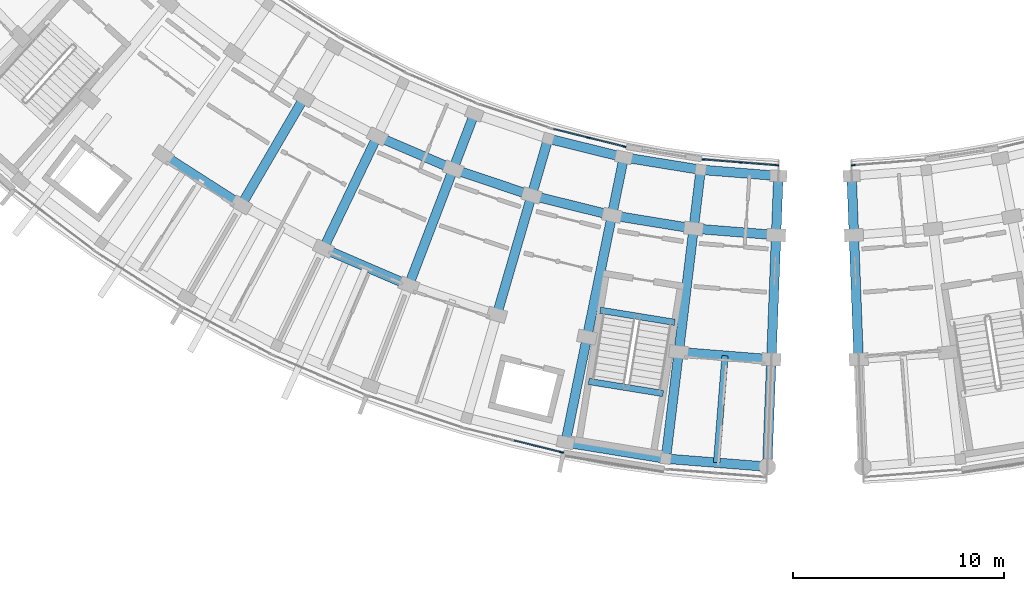
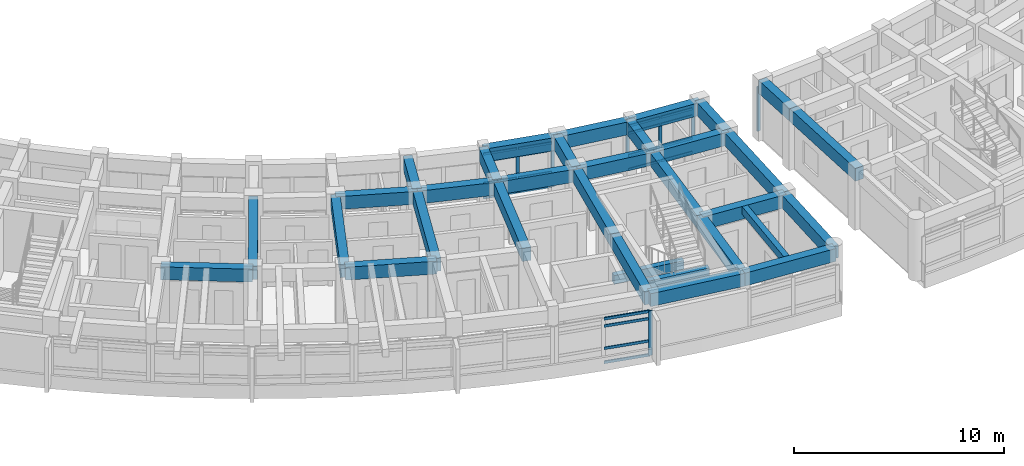
# One storey, part 21 of 83: 33 beams, 27 members, 4 elements without a shape of their own.
"""IFC4 building model written with IfcOpenShell, lengths in metres."""

from ifc_helpers import new_model, si_unit, direction, frame, origin, origin_2d, place, context, subcontext, project, spatial, rectangle, extrude, material, material_profile, profile_set, type_object, element, aggregate, save


model = new_model("IFC4")

# Units and contexts
model_context = context("Model", 3, precision=1e-05, world=origin(), true_north=direction((0.0, 1.0)))
body_context = subcontext(model_context, "Body", "Model", "MODEL_VIEW")
ifc_project = project(units=[si_unit("LENGTHUNIT", "METRE"), si_unit("AREAUNIT", "SQUARE_METRE"), si_unit("VOLUMEUNIT", "CUBIC_METRE"), si_unit("PLANEANGLEUNIT", "RADIAN"), si_unit("MASSUNIT", "GRAM", prefix="KILO")], contexts=[model_context])

# Site, building, storey
site_placement = place(None, origin())
site = spatial("IfcSite", under=ifc_project, at=site_placement, CompositionType="ELEMENT")
building_placement = place(site_placement, origin())
building = spatial("IfcBuilding", under=site, at=building_placement, Name="Zimvara Arc Housing Community", CompositionType="ELEMENT")
storey_placement = place(building_placement, frame((0.0, 0.0, 4.5)))
storey = spatial("IfcBuildingStorey", under=building, at=storey_placement, Name="L01", CompositionType="ELEMENT", Elevation=4.5)

# Beams
ifc_material_1 = material(Name="Concrete C40/50", Category="concrete")
ifc_material_profile_1 = material_profile(ifc_material_1, rectangle(XDim=0.300048828125, YDim=0.449951171875, at=origin_2d()), Name="RC 300x450")
ifc_profile_set_1 = profile_set([ifc_material_profile_1], Name="Concrete C40/50")
beam_type_1 = type_object("IfcBeamType", Name="BM-RC-300x450", PredefinedType="JOIST", material=ifc_profile_set_1)
beam_1_placement = place(storey_placement, frame((121.72509765625, 56.2734375, 3.135009765625), z_axis=(-0.079171686291, -0.99686099537, 0.0), x_axis=(0.99686099537, -0.079171686291, 0.0)))
element("IfcBeam", 1, at=beam_1_placement, inside=storey, type_object=beam_type_1, Name="bm:blkC:L01:joist:b9", PredefinedType="JOIST", context=body_context, shape_type="SweptSolid", body=[
    extrude(rectangle(XDim=0.300048828125, YDim=0.449951171875, at=origin_2d()), origin(), (0.0, 0.0, 1.0), 5.07568359375),
])
ifc_material_2 = material(Name="Concrete C40/50", Category="concrete")
ifc_material_profile_2 = material_profile(ifc_material_2, rectangle(XDim=0.300048828125, YDim=0.5, at=origin_2d()), Name="RC 300x500")
ifc_profile_set_2 = profile_set([ifc_material_profile_2], Name="Concrete C40/50")
beam_type_2 = type_object("IfcBeamType", Name="BM-RC-300x500", PredefinedType="BEAM", material=ifc_profile_set_2)
for number, where, z_axis, x_axis, name in (
    (2, (115.822265625, 58.423095703125, -0.25), (0.987080057935, -0.160227835371, 0.0), (0.160227835371, 0.987080057935, 0.0), "bm:stair_trim:ST-C2:L01:near"),
    (3, (115.27587890625, 55.05712890625, 1.550048828125), (0.987080057935, -0.160227835371, 0.0), (0.160227835371, 0.987080057935, 0.0), "bm:stair_trim:ST-C2:L01:mid"),
):
    element("IfcBeam", number, at=place(storey_placement, frame(where, z_axis=z_axis, x_axis=x_axis)), inside=storey, type_object=beam_type_2, Name=name, PredefinedType="BEAM", context=body_context, shape_type="SweptSolid", body=[
        extrude(rectangle(XDim=0.300048828125, YDim=0.5, at=origin_2d()), origin(), (0.0, 0.0, 1.0), 3.570068359375),
    ])
ifc_material_3 = material(Name="Concrete C40/50", Category="concrete")
ifc_material_profile_3 = material_profile(ifc_material_3, rectangle(XDim=0.449951171875, YDim=0.75, at=origin_2d()), Name="RC 450x750")
ifc_profile_set_3 = profile_set([ifc_material_profile_3], Name="Concrete C40/50")
beam_type_3 = type_object("IfcBeamType", Name="BM-RC-450x750", PredefinedType="BEAM", material=ifc_profile_set_3)
beam_2_placement = place(storey_placement, frame((113.361572265625, 66.540283203125, 2.985107421875), z_axis=(0.970724337693, -0.240196295163, 0.0), x_axis=(0.240196295163, 0.970724337693, 0.0)))
element("IfcBeam", 4, at=beam_2_placement, inside=storey, type_object=beam_type_3, Name="bm:blkC:L01:chord:r0:b7", PredefinedType="BEAM", context=body_context, shape_type="SweptSolid", body=[
    extrude(rectangle(XDim=0.449951171875, YDim=0.75, at=origin_2d()), origin(), (0.0, 0.0, 1.0), 3.6845703125),
])
beam_3_placement = place(storey_placement, frame((116.938232421875, 65.6552734375, 2.985107421875), z_axis=(0.987079996944, -0.160228211104, 0.0), x_axis=(0.160228211104, 0.987079996944, 0.0)))
element("IfcBeam", 5, at=beam_3_placement, inside=storey, type_object=beam_type_3, Name="bm:blkC:L01:chord:r0:b8", PredefinedType="BEAM", context=body_context, shape_type="SweptSolid", body=[
    extrude(rectangle(XDim=0.449951171875, YDim=0.75, at=origin_2d()), origin(), (0.0, 0.0, 1.0), 3.684326171875),
])
beam_4_placement = place(storey_placement, frame((120.574951171875, 65.06494140625, 2.985107421875), z_axis=(0.996860413745, -0.079179009267, 0.0), x_axis=(0.079179009267, 0.996860413745, 0.0)))
element("IfcBeam", 6, at=beam_4_placement, inside=storey, type_object=beam_type_3, Name="bm:blkC:L01:chord:r0:b9", PredefinedType="BEAM", context=body_context, shape_type="SweptSolid", body=[
    extrude(rectangle(XDim=0.449951171875, YDim=0.75, at=origin_2d()), origin(), (0.0, 0.0, 1.0), 3.6845703125),
])
for number, where, z_axis, x_axis, name in (
    (7, (105.2744140625, 66.644287109375, 2.985107421875), (0.918708805961, -0.394935602155, 0.0), (0.394935602155, 0.918708805961, 0.0), "bm:blkC:L01:chord:r1:b5"),
    (8, (108.869384765625, 65.098876953125, 2.985107421875), (0.947881689069, -0.31862250945, 0.0), (0.31862250945, 0.947881689069, 0.0), "bm:blkC:L01:chord:r1:b6"),
    (9, (112.57861328125, 63.85205078125, 2.985107421875), (0.970723220586, -0.240200809773, 0.0), (0.240200809773, 0.970723220586, 0.0), "bm:blkC:L01:chord:r1:b7"),
    (10, (116.377197265625, 62.912109375, 2.985107421875), (0.987081487371, -0.160219029111, 0.0), (0.160219029111, 0.987081487371, 0.0), "bm:blkC:L01:chord:r1:b8"),
):
    element("IfcBeam", number, at=place(storey_placement, frame(where, z_axis=z_axis, x_axis=x_axis)), inside=storey, type_object=beam_type_3, Name=name, PredefinedType="BEAM", context=body_context, shape_type="SweptSolid", body=[
        extrude(rectangle(XDim=0.449951171875, YDim=0.75, at=origin_2d()), origin(), (0.0, 0.0, 1.0), 3.9130859375),
    ])
beam_5_placement = place(storey_placement, frame((120.23974609375, 62.28515625, 2.985107421875), z_axis=(0.99686054795, -0.079177319606, 0.0), x_axis=(0.079177319606, 0.99686054795, 0.0)))
element("IfcBeam", 11, at=beam_5_placement, inside=storey, type_object=beam_type_3, Name="bm:blkC:L01:chord:r1:b9", PredefinedType="BEAM", context=body_context, shape_type="SweptSolid", body=[
    extrude(rectangle(XDim=0.449951171875, YDim=0.75, at=origin_2d()), origin(), (0.0, 0.0, 1.0), 3.912841796875),
])
beam_6_placement = place(storey_placement, frame((95.15234375, 65.76806640625, 2.985107421875), z_axis=(0.842267363538, -0.539060004376, 0.0), x_axis=(0.539060004376, 0.842267363538, 0.0)))
element("IfcBeam", 12, at=beam_6_placement, inside=storey, type_object=beam_type_3, Name="bm:blkC:L01:chord:r2:b3", PredefinedType="BEAM", context=body_context, shape_type="SweptSolid", body=[
    extrude(rectangle(XDim=0.449951171875, YDim=0.75, at=origin_2d()), origin(), (0.0, 0.0, 1.0), 4.39306640625),
])
for number, where, z_axis, x_axis, name in (
    (13, (102.73388671875, 61.34130859375, 2.985107421875), (0.918724840088, -0.394898301093, 0.0), (0.394898301093, 0.918724840088, 0.0), "bm:blkC:L01:chord:r2:b5"),
    (14, (119.535400390625, 56.447509765625, 2.985107421875), (0.996859476344, -0.079190810224, 0.0), (0.079190810224, 0.996859476344, 0.0), "bm:blkC:L01:chord:r2:b9"),
):
    element("IfcBeam", number, at=place(storey_placement, frame(where, z_axis=z_axis, x_axis=x_axis)), inside=storey, type_object=beam_type_3, Name=name, PredefinedType="BEAM", context=body_context, shape_type="SweptSolid", body=[
        extrude(rectangle(XDim=0.449951171875, YDim=0.75, at=origin_2d()), origin(), (0.0, 0.0, 1.0), 4.393310546875),
    ])
beam_7_placement = place(storey_placement, frame((114.180908203125, 52.17431640625, 2.985107421875), z_axis=(0.987083566885, -0.160206217065, 0.0), x_axis=(0.160206217065, 0.987083566885, 0.0)))
element("IfcBeam", 15, at=beam_7_placement, inside=storey, type_object=beam_type_3, Name="bm:blkC:L01:chord:r3:b8", PredefinedType="BEAM", context=body_context, shape_type="SweptSolid", body=[
    extrude(rectangle(XDim=0.449951171875, YDim=0.75, at=origin_2d()), origin(), (0.0, 0.0, 1.0), 4.807861328125),
])
beam_8_placement = place(storey_placement, frame((118.9267578125, 51.404052734375, 2.985107421875), z_axis=(0.996861768207, -0.0791619548, 0.0), x_axis=(0.0791619548, 0.996861768207, 0.0)))
element("IfcBeam", 16, at=beam_8_placement, inside=storey, type_object=beam_type_3, Name="bm:blkC:L01:chord:r3:b9", PredefinedType="BEAM", context=body_context, shape_type="SweptSolid", body=[
    extrude(rectangle(XDim=0.449951171875, YDim=0.75, at=origin_2d()), origin(), (0.0, 0.0, 1.0), 4.80810546875),
])
beam_9_placement = place(storey_placement, frame((101.8173828125, 68.4775390625, 2.985107421875), z_axis=(-0.504237574462, -0.863564976421, 0.0), x_axis=(0.863564976421, -0.504237574462, 0.0)))
element("IfcBeam", 17, at=beam_9_placement, inside=storey, type_object=beam_type_3, Name="bm:blkC:L01:rad:b4:r12", PredefinedType="BEAM", context=body_context, shape_type="SweptSolid", body=[
    extrude(rectangle(XDim=0.449951171875, YDim=0.75, at=origin_2d()), origin(), (0.0, 0.0, 1.0), 5.8798828125),
])
beam_10_placement = place(storey_placement, frame((105.2744140625, 66.644287109375, 2.985107421875), z_axis=(-0.432053349188, -0.901848048983, 0.0), x_axis=(0.901848048983, -0.432053349188, 0.0)))
element("IfcBeam", 18, at=beam_10_placement, inside=storey, type_object=beam_type_3, Name="bm:blkC:L01:rad:b5:r12", PredefinedType="BEAM", context=body_context, shape_type="SweptSolid", body=[
    extrude(rectangle(XDim=0.449951171875, YDim=0.75, at=origin_2d()), origin(), (0.0, 0.0, 1.0), 5.880126953125),
])
beam_11_placement = place(storey_placement, frame((109.869384765625, 67.71435546875, 2.985107421875), z_axis=(-0.357126279724, -0.934056111982, 0.0), x_axis=(0.934056111982, -0.357126279724, 0.0)))
element("IfcBeam", 19, at=beam_11_placement, inside=storey, type_object=beam_type_3, Name="bm:blkC:L01:rad:b6:r01", PredefinedType="BEAM", context=body_context, shape_type="SweptSolid", body=[
    extrude(rectangle(XDim=0.449951171875, YDim=0.75, at=origin_2d()), origin(), (0.0, 0.0, 1.0), 2.800048828125),
])
beam_12_placement = place(storey_placement, frame((108.869384765625, 65.098876953125, 2.985107421875), z_axis=(-0.357036247742, -0.934090529766, 0.0), x_axis=(0.934090529766, -0.357036247742, 0.0)))
element("IfcBeam", 20, at=beam_12_placement, inside=storey, type_object=beam_type_3, Name="bm:blkC:L01:rad:b6:r12", PredefinedType="BEAM", context=body_context, shape_type="SweptSolid", body=[
    extrude(rectangle(XDim=0.449951171875, YDim=0.75, at=origin_2d()), origin(), (0.0, 0.0, 1.0), 5.8798828125),
])
beam_13_placement = place(storey_placement, frame((113.361572265625, 66.540283203125, 2.985107421875), z_axis=(-0.279635015525, -0.960106378529, 0.0), x_axis=(0.960106378529, -0.279635015525, 0.0)))
element("IfcBeam", 21, at=beam_13_placement, inside=storey, type_object=beam_type_3, Name="bm:blkC:L01:rad:b7:r01", PredefinedType="BEAM", context=body_context, shape_type="SweptSolid", body=[
    extrude(rectangle(XDim=0.449951171875, YDim=0.75, at=origin_2d()), origin(), (0.0, 0.0, 1.0), 2.800048828125),
])
beam_14_placement = place(storey_placement, frame((112.57861328125, 63.85205078125, 2.985107421875), z_axis=(-0.27964761269, -0.960102709462, 0.0), x_axis=(0.960102709462, -0.27964761269, 0.0)))
element("IfcBeam", 22, at=beam_14_placement, inside=storey, type_object=beam_type_3, Name="bm:blkC:L01:rad:b7:r12", PredefinedType="BEAM", context=body_context, shape_type="SweptSolid", body=[
    extrude(rectangle(XDim=0.449951171875, YDim=0.75, at=origin_2d()), origin(), (0.0, 0.0, 1.0), 5.8798828125),
])
beam_15_placement = place(storey_placement, frame((116.938232421875, 65.6552734375, 2.985107421875), z_axis=(-0.20037341071, -0.979719600845, 0.0), x_axis=(0.979719600845, -0.20037341071, 0.0)))
element("IfcBeam", 23, at=beam_15_placement, inside=storey, type_object=beam_type_3, Name="bm:blkC:L01:rad:b8:r01", PredefinedType="BEAM", context=body_context, shape_type="SweptSolid", body=[
    extrude(rectangle(XDim=0.449951171875, YDim=0.75, at=origin_2d()), origin(), (0.0, 0.0, 1.0), 2.800048828125),
])
beam_16_placement = place(storey_placement, frame((116.377197265625, 62.912109375, 2.985107421875), z_axis=(-0.200417973989, -0.979710485655, 0.0), x_axis=(0.979710485655, -0.200417973989, 0.0)))
element("IfcBeam", 24, at=beam_16_placement, inside=storey, type_object=beam_type_3, Name="bm:blkC:L01:rad:b8:r12", PredefinedType="BEAM", context=body_context, shape_type="SweptSolid", body=[
    extrude(rectangle(XDim=0.449951171875, YDim=0.75, at=origin_2d()), origin(), (0.0, 0.0, 1.0), 5.880126953125),
])
beam_17_placement = place(storey_placement, frame((115.19873046875, 57.1513671875, 2.985107421875), z_axis=(-0.200356397601, -0.979723080233, 0.0), x_axis=(0.979723080233, -0.200356397601, 0.0)))
element("IfcBeam", 25, at=beam_17_placement, inside=storey, type_object=beam_type_3, Name="bm:blkC:L01:rad:b8:r23", PredefinedType="BEAM", context=body_context, shape_type="SweptSolid", body=[
    extrude(rectangle(XDim=0.449951171875, YDim=0.75, at=origin_2d()), origin(), (0.0, 0.0, 1.0), 5.080078125),
])
beam_18_placement = place(storey_placement, frame((120.574951171875, 65.06494140625, 2.985107421875), z_axis=(-0.119719398078, -0.992807768767, 0.0), x_axis=(0.992807768767, -0.119719398078, 0.0)))
element("IfcBeam", 26, at=beam_18_placement, inside=storey, type_object=beam_type_3, Name="bm:blkC:L01:rad:b9:r01", PredefinedType="BEAM", context=body_context, shape_type="SweptSolid", body=[
    extrude(rectangle(XDim=0.449951171875, YDim=0.75, at=origin_2d()), origin(), (0.0, 0.0, 1.0), 2.7998046875),
])
beam_19_placement = place(storey_placement, frame((120.23974609375, 62.28515625, 2.985107421875), z_axis=(-0.119786997154, -0.992799614884, 0.0), x_axis=(0.992799614884, -0.119786997154, 0.0)))
element("IfcBeam", 27, at=beam_19_placement, inside=storey, type_object=beam_type_3, Name="bm:blkC:L01:rad:b9:r12", PredefinedType="BEAM", context=body_context, shape_type="SweptSolid", body=[
    extrude(rectangle(XDim=0.449951171875, YDim=0.75, at=origin_2d()), origin(), (0.0, 0.0, 1.0), 5.8798828125),
])
beam_20_placement = place(storey_placement, frame((119.535400390625, 56.447509765625, 2.985107421875), z_axis=(-0.119810359757, -0.992796795772, 0.0), x_axis=(0.992796795772, -0.119810359757, 0.0)))
element("IfcBeam", 28, at=beam_20_placement, inside=storey, type_object=beam_type_3, Name="bm:blkC:L01:rad:b9:r23", PredefinedType="BEAM", context=body_context, shape_type="SweptSolid", body=[
    extrude(rectangle(XDim=0.449951171875, YDim=0.75, at=origin_2d()), origin(), (0.0, 0.0, 1.0), 5.080078125),
])
beam_21_placement = place(storey_placement, frame((124.248046875, 64.773193359375, 2.985107421875), z_axis=(-0.038453214409, -0.999260401648, 0.0), x_axis=(0.999260401648, -0.038453214409, 0.0)))
element("IfcBeam", 29, at=beam_21_placement, inside=storey, type_object=beam_type_3, Name="bm:blkC:L01:rad:b10:r01", PredefinedType="BEAM", context=body_context, shape_type="SweptSolid", body=[
    extrude(rectangle(XDim=0.449951171875, YDim=0.75, at=origin_2d()), origin(), (0.0, 0.0, 1.0), 2.7998046875),
])
beam_22_placement = place(storey_placement, frame((124.140380859375, 61.975341796875, 2.985107421875), z_axis=(-0.038364555613, -0.999263809448, 0.0), x_axis=(0.999263809448, -0.038364555613, 0.0)))
element("IfcBeam", 30, at=beam_22_placement, inside=storey, type_object=beam_type_3, Name="bm:blkC:L01:rad:b10:r12", PredefinedType="BEAM", context=body_context, shape_type="SweptSolid", body=[
    extrude(rectangle(XDim=0.449951171875, YDim=0.75, at=origin_2d()), origin(), (0.0, 0.0, 1.0), 5.880126953125),
])
beam_23_placement = place(storey_placement, frame((123.914794921875, 56.099609375, 2.985107421875), z_axis=(-0.038399898954, -0.999262451892, 0.0), x_axis=(0.999262451892, -0.038399898954, 0.0)))
element("IfcBeam", 31, at=beam_23_placement, inside=storey, type_object=beam_type_3, Name="bm:blkC:L01:rad:b10:r23", PredefinedType="BEAM", context=body_context, shape_type="SweptSolid", body=[
    extrude(rectangle(XDim=0.449951171875, YDim=0.75, at=origin_2d()), origin(), (0.0, 0.0, 1.0), 5.079833984375),
])
beam_24_placement = place(storey_placement, frame((127.712158203125, 64.773193359375, 2.985107421875), z_axis=(0.038366147405, -0.999263748333, 0.0), x_axis=(0.999263748333, 0.038366147405, 0.0)))
element("IfcBeam", 32, at=beam_24_placement, inside=storey, type_object=beam_type_3, Name="bm:blkD:L01:rad:b0:r01", PredefinedType="BEAM", context=body_context, shape_type="SweptSolid", body=[
    extrude(rectangle(XDim=0.449951171875, YDim=0.75, at=origin_2d()), origin(), (0.0, 0.0, 1.0), 2.7998046875),
])
beam_25_placement = place(storey_placement, frame((127.819580078125, 61.975341796875, 2.985107421875), z_axis=(0.038364555613, -0.999263809448, 0.0), x_axis=(0.999263809448, 0.038364555613, 0.0)))
element("IfcBeam", 33, at=beam_25_placement, inside=storey, type_object=beam_type_3, Name="bm:blkD:L01:rad:b0:r12", PredefinedType="BEAM", context=body_context, shape_type="SweptSolid", body=[
    extrude(rectangle(XDim=0.449951171875, YDim=0.75, at=origin_2d()), origin(), (0.0, 0.0, 1.0), 5.880126953125),
])

# Curtain wall, members
ifc_material_4 = material(Name="Anodised Aluminium AW-6063", Category="aluminium")
curtain_wall_type_1 = type_object("IfcCurtainWallType", Name="CW-SYS-02", PredefinedType="USERDEFINED", material=ifc_material_4)
curtain_wall_1_placement = place(storey_placement, origin())
curtain_wall_1 = element("IfcCurtainWall", 34, at=curtain_wall_1_placement, inside=storey, type_object=curtain_wall_type_1, Name="cw:blkC:L01:in:b7", ObjectType="CURTAIN WALL", PredefinedType="USERDEFINED")
ifc_material_5 = material(Name="Anodised Aluminium AW-6063", Category="aluminium")
ifc_material_profile_4 = material_profile(ifc_material_5, rectangle(XDim=0.06494140625, YDim=0.179931640625, at=origin_2d()), Name="ALU 65x180")
ifc_profile_set_4 = profile_set([ifc_material_profile_4], Name="Anodised Aluminium AW-6063")
member_type_1 = type_object("IfcMemberType", Name="CWM-65x150", PredefinedType="MULLION", material=ifc_profile_set_4)
member_1_placement = place(storey_placement, frame((115.27001953125, 66.582763671875, 0.0), z_axis=(0.0, 0.0, 1.0), x_axis=(0.240227815706, 0.970716537698, 0.0)))
member_1 = element("IfcMember", 35, at=member_1_placement, type_object=member_type_1, Name="CW02 mullion 2", PredefinedType="MULLION", context=body_context, shape_type="SweptSolid", body=[
    extrude(rectangle(XDim=0.06494140625, YDim=0.179931640625, at=origin_2d()), origin(), (0.0, 0.0, 1.0), 2.60009765625),
])
member_2_placement = place(storey_placement, frame((116.94873046875, 66.167236328125, 0.0), z_axis=(0.0, 0.0, 1.0), x_axis=(0.240227815706, 0.970716537698, 0.0)))
member_2 = element("IfcMember", 36, at=member_2_placement, type_object=member_type_1, Name="CW02 mullion 3", PredefinedType="MULLION", context=body_context, shape_type="SweptSolid", body=[
    extrude(rectangle(XDim=0.06494140625, YDim=0.179931640625, at=origin_2d()), origin(), (0.0, 0.0, 1.0), 2.60009765625),
])

ifc_material_6 = material(Name="Anodised Aluminium AW-6063", Category="aluminium")
curtain_wall_type_2 = type_object("IfcCurtainWallType", Name="CW-SYS-04", PredefinedType="USERDEFINED", material=ifc_material_6)
curtain_wall_2_placement = place(storey_placement, origin())
curtain_wall_2 = element("IfcCurtainWall", 37, at=curtain_wall_2_placement, inside=storey, type_object=curtain_wall_type_2, Name="cw:blkC:L01:in:b9", ObjectType="CURTAIN WALL", PredefinedType="USERDEFINED")
member_3_placement = place(storey_placement, frame((120.72705078125, 65.553955078125, 0.0), z_axis=(0.0, 0.0, 1.0), x_axis=(0.079154709897, 0.996862343506, 0.0)))
member_3 = element("IfcMember", 38, at=member_3_placement, type_object=member_type_1, Name="CW04 mullion 1", PredefinedType="MULLION", context=body_context, shape_type="SweptSolid", body=[
    extrude(rectangle(XDim=0.06494140625, YDim=0.179931640625, at=origin_2d()), origin(), (0.0, 0.0, 1.0), 2.60009765625),
])
member_4_placement = place(storey_placement, frame((122.450927734375, 65.4169921875, 0.0), z_axis=(0.0, 0.0, 1.0), x_axis=(0.079154709897, 0.996862343506, 0.0)))
member_4 = element("IfcMember", 39, at=member_4_placement, type_object=member_type_1, Name="CW04 mullion 2", PredefinedType="MULLION", context=body_context, shape_type="SweptSolid", body=[
    extrude(rectangle(XDim=0.06494140625, YDim=0.179931640625, at=origin_2d()), origin(), (0.0, 0.0, 1.0), 2.60009765625),
])
member_5_placement = place(storey_placement, frame((124.1748046875, 65.2802734375, 0.0), z_axis=(0.0, 0.0, 1.0), x_axis=(0.079154709897, 0.996862343506, 0.0)))
member_5 = element("IfcMember", 40, at=member_5_placement, type_object=member_type_1, Name="CW04 mullion 3", PredefinedType="MULLION", context=body_context, shape_type="SweptSolid", body=[
    extrude(rectangle(XDim=0.06494140625, YDim=0.179931640625, at=origin_2d()), origin(), (0.0, 0.0, 1.0), 2.60009765625),
])

# Curtain wall, member
ifc_material_7 = material(Name="Anodised Aluminium AW-6063", Category="aluminium")
curtain_wall_type_3 = type_object("IfcCurtainWallType", Name="CW-SYS-06", PredefinedType="USERDEFINED", material=ifc_material_7)
curtain_wall_3_placement = place(storey_placement, origin())
curtain_wall_3 = element("IfcCurtainWall", 41, at=curtain_wall_3_placement, inside=storey, type_object=curtain_wall_type_3, Name="cw:blkD:L01:in:b0", ObjectType="CURTAIN WALL", PredefinedType="USERDEFINED")
member_6_placement = place(storey_placement, frame((127.78515625, 65.280029296875, 0.0), z_axis=(0.0, 0.0, 1.0), x_axis=(-0.077590099579, 0.996985344149, 0.0)))
member_6 = element("IfcMember", 42, at=member_6_placement, type_object=member_type_1, Name="CW06 mullion 1", PredefinedType="MULLION", context=body_context, shape_type="SweptSolid", body=[
    extrude(rectangle(XDim=0.06494140625, YDim=0.179931640625, at=origin_2d()), origin(), (0.0, 0.0, 1.0), 2.60009765625),
])
aggregate(curtain_wall_3, [member_6])

ifc_material_8 = material(Name="Anodised Aluminium AW-6063", Category="aluminium")
curtain_wall_type_4 = type_object("IfcCurtainWallType", Name="CW-SYS-01", PredefinedType="USERDEFINED", material=ifc_material_8)
curtain_wall_4_placement = place(storey_placement, origin())
curtain_wall_4 = element("IfcCurtainWall", 43, at=curtain_wall_4_placement, inside=storey, type_object=curtain_wall_type_4, Name="cw:blkC:L01:out:b7", ObjectType="CURTAIN WALL", PredefinedType="USERDEFINED")
ifc_material_9 = material(Name="Anodised Aluminium AW-6063", Category="aluminium")
ifc_material_profile_5 = material_profile(ifc_material_9, rectangle(XDim=0.06494140625, YDim=0.195068359375, at=origin_2d()), Name="ALU 65x195")
ifc_profile_set_5 = profile_set([ifc_material_profile_5], Name="Anodised Aluminium AW-6063")
member_type_2 = type_object("IfcMemberType", Name="CWM-65x180", PredefinedType="MULLION", material=ifc_profile_set_5)
member_7_placement = place(storey_placement, frame((113.99072265625, 51.706787109375, 0.0), z_axis=(0.0, 0.0, 1.0), x_axis=(0.240229711131, 0.970716068627, 0.0)))
member_7 = element("IfcMember", 44, at=member_7_placement, type_object=member_type_2, Name="CW01 mullion 3", PredefinedType="MULLION", context=body_context, shape_type="SweptSolid", body=[
    extrude(rectangle(XDim=0.06494140625, YDim=0.195068359375, at=origin_2d()), origin(), (0.0, 0.0, 1.0), 2.60009765625),
])

# Member
ifc_material_10 = material(Name="Anodised Aluminium AW-6063", Category="aluminium")
ifc_material_profile_6 = material_profile(ifc_material_10, rectangle(XDim=0.06494140625, YDim=0.139892578125, at=origin_2d()), Name="ALU 65x140")
ifc_profile_set_6 = profile_set([ifc_material_profile_6], Name="Anodised Aluminium AW-6063")
member_type_3 = type_object("IfcMemberType", Name="CWT-65x120", PredefinedType="USERDEFINED", material=ifc_profile_set_6)
member_8_placement = place(storey_placement, frame((113.622802734375, 66.990478515625, 0.032470703125), z_axis=(0.970709278499, -0.2402571469, 0.0), x_axis=(0.2402571469, 0.970709278499, 0.0)))
member_8 = element("IfcMember", 45, at=member_8_placement, type_object=member_type_3, Name="CW02 transom 1.1", ObjectType="TRANSOM", PredefinedType="USERDEFINED", context=body_context, shape_type="SweptSolid", body=[
    extrude(rectangle(XDim=0.06494140625, YDim=0.139892578125, at=origin_2d()), origin(), (0.0, 0.0, 1.0), 1.66455078125),
])

member_9_placement = place(storey_placement, frame((113.622802734375, 66.990478515625, 0.85009765625), z_axis=(0.970709278499, -0.2402571469, 0.0), x_axis=(0.2402571469, 0.970709278499, 0.0)))
member_9 = element("IfcMember", 46, at=member_9_placement, type_object=member_type_3, Name="CW02 transom 1.2", ObjectType="TRANSOM", PredefinedType="USERDEFINED", context=body_context, shape_type="SweptSolid", body=[
    extrude(rectangle(XDim=0.06494140625, YDim=0.139892578125, at=origin_2d()), origin(), (0.0, 0.0, 1.0), 1.66455078125),
])

member_10_placement = place(storey_placement, frame((113.622802734375, 66.990478515625, 2.14990234375), z_axis=(0.970709278499, -0.2402571469, 0.0), x_axis=(0.2402571469, 0.970709278499, 0.0)))
member_10 = element("IfcMember", 47, at=member_10_placement, type_object=member_type_3, Name="CW02 transom 1.3", ObjectType="TRANSOM", PredefinedType="USERDEFINED", context=body_context, shape_type="SweptSolid", body=[
    extrude(rectangle(XDim=0.06494140625, YDim=0.139892578125, at=origin_2d()), origin(), (0.0, 0.0, 1.0), 1.66455078125),
])

member_11_placement = place(storey_placement, frame((113.622802734375, 66.990478515625, 2.5673828125), z_axis=(0.970709278499, -0.2402571469, 0.0), x_axis=(0.2402571469, 0.970709278499, 0.0)))
member_11 = element("IfcMember", 48, at=member_11_placement, type_object=member_type_3, Name="CW02 transom 1.4", ObjectType="TRANSOM", PredefinedType="USERDEFINED", context=body_context, shape_type="SweptSolid", body=[
    extrude(rectangle(XDim=0.06494140625, YDim=0.139892578125, at=origin_2d()), origin(), (0.0, 0.0, 1.0), 1.66455078125),
])

member_12_placement = place(storey_placement, frame((115.301513671875, 66.574951171875, 0.032470703125), z_axis=(0.970700809973, -0.24029135964, 0.0), x_axis=(0.24029135964, 0.970700809973, 0.0)))
member_12 = element("IfcMember", 49, at=member_12_placement, type_object=member_type_3, Name="CW02 transom 2.1", ObjectType="TRANSOM", PredefinedType="USERDEFINED", context=body_context, shape_type="SweptSolid", body=[
    extrude(rectangle(XDim=0.06494140625, YDim=0.139892578125, at=origin_2d()), origin(), (0.0, 0.0, 1.0), 1.664306640625),
])

member_13_placement = place(storey_placement, frame((115.301513671875, 66.574951171875, 0.85009765625), z_axis=(0.970700809973, -0.24029135964, 0.0), x_axis=(0.24029135964, 0.970700809973, 0.0)))
member_13 = element("IfcMember", 50, at=member_13_placement, type_object=member_type_3, Name="CW02 transom 2.2", ObjectType="TRANSOM", PredefinedType="USERDEFINED", context=body_context, shape_type="SweptSolid", body=[
    extrude(rectangle(XDim=0.06494140625, YDim=0.139892578125, at=origin_2d()), origin(), (0.0, 0.0, 1.0), 1.664306640625),
])

member_14_placement = place(storey_placement, frame((115.301513671875, 66.574951171875, 2.14990234375), z_axis=(0.970700809973, -0.24029135964, 0.0), x_axis=(0.24029135964, 0.970700809973, 0.0)))
member_14 = element("IfcMember", 51, at=member_14_placement, type_object=member_type_3, Name="CW02 transom 2.3", ObjectType="TRANSOM", PredefinedType="USERDEFINED", context=body_context, shape_type="SweptSolid", body=[
    extrude(rectangle(XDim=0.06494140625, YDim=0.139892578125, at=origin_2d()), origin(), (0.0, 0.0, 1.0), 1.664306640625),
])

member_15_placement = place(storey_placement, frame((115.301513671875, 66.574951171875, 2.5673828125), z_axis=(0.970700809973, -0.24029135964, 0.0), x_axis=(0.24029135964, 0.970700809973, 0.0)))
member_15 = element("IfcMember", 52, at=member_15_placement, type_object=member_type_3, Name="CW02 transom 2.4", ObjectType="TRANSOM", PredefinedType="USERDEFINED", context=body_context, shape_type="SweptSolid", body=[
    extrude(rectangle(XDim=0.06494140625, YDim=0.139892578125, at=origin_2d()), origin(), (0.0, 0.0, 1.0), 1.664306640625),
])

aggregate(curtain_wall_1, [member_1, member_2, member_8, member_9, member_10, member_11, member_12, member_13, member_14, member_15])

member_16_placement = place(storey_placement, frame((120.759521484375, 65.551513671875, 0.032470703125), z_axis=(0.99685804311, -0.079208849806, 0.0), x_axis=(0.079208849806, 0.99685804311, 0.0)))
member_16 = element("IfcMember", 53, at=member_16_placement, type_object=member_type_3, Name="CW04 transom 1.1", ObjectType="TRANSOM", PredefinedType="USERDEFINED", context=body_context, shape_type="SweptSolid", body=[
    extrude(rectangle(XDim=0.06494140625, YDim=0.139892578125, at=origin_2d()), origin(), (0.0, 0.0, 1.0), 1.664306640625),
])

member_17_placement = place(storey_placement, frame((120.759521484375, 65.551513671875, 0.85009765625), z_axis=(0.99685804311, -0.079208849806, 0.0), x_axis=(0.079208849806, 0.99685804311, 0.0)))
member_17 = element("IfcMember", 54, at=member_17_placement, type_object=member_type_3, Name="CW04 transom 1.2", ObjectType="TRANSOM", PredefinedType="USERDEFINED", context=body_context, shape_type="SweptSolid", body=[
    extrude(rectangle(XDim=0.06494140625, YDim=0.139892578125, at=origin_2d()), origin(), (0.0, 0.0, 1.0), 1.664306640625),
])

member_18_placement = place(storey_placement, frame((120.759521484375, 65.551513671875, 2.14990234375), z_axis=(0.99685804311, -0.079208849806, 0.0), x_axis=(0.079208849806, 0.99685804311, 0.0)))
member_18 = element("IfcMember", 55, at=member_18_placement, type_object=member_type_3, Name="CW04 transom 1.3", ObjectType="TRANSOM", PredefinedType="USERDEFINED", context=body_context, shape_type="SweptSolid", body=[
    extrude(rectangle(XDim=0.06494140625, YDim=0.139892578125, at=origin_2d()), origin(), (0.0, 0.0, 1.0), 1.664306640625),
])

member_19_placement = place(storey_placement, frame((120.759521484375, 65.551513671875, 2.5673828125), z_axis=(0.99685804311, -0.079208849806, 0.0), x_axis=(0.079208849806, 0.99685804311, 0.0)))
member_19 = element("IfcMember", 56, at=member_19_placement, type_object=member_type_3, Name="CW04 transom 1.4", ObjectType="TRANSOM", PredefinedType="USERDEFINED", context=body_context, shape_type="SweptSolid", body=[
    extrude(rectangle(XDim=0.06494140625, YDim=0.139892578125, at=origin_2d()), origin(), (0.0, 0.0, 1.0), 1.664306640625),
])

member_20_placement = place(storey_placement, frame((122.4833984375, 65.41455078125, 0.032470703125), z_axis=(0.99685804311, -0.079208849806, 0.0), x_axis=(0.079208849806, 0.99685804311, 0.0)))
member_20 = element("IfcMember", 57, at=member_20_placement, type_object=member_type_3, Name="CW04 transom 2.1", ObjectType="TRANSOM", PredefinedType="USERDEFINED", context=body_context, shape_type="SweptSolid", body=[
    extrude(rectangle(XDim=0.06494140625, YDim=0.139892578125, at=origin_2d()), origin(), (0.0, 0.0, 1.0), 1.664306640625),
])

member_21_placement = place(storey_placement, frame((122.4833984375, 65.41455078125, 0.85009765625), z_axis=(0.99685804311, -0.079208849806, 0.0), x_axis=(0.079208849806, 0.99685804311, 0.0)))
member_21 = element("IfcMember", 58, at=member_21_placement, type_object=member_type_3, Name="CW04 transom 2.2", ObjectType="TRANSOM", PredefinedType="USERDEFINED", context=body_context, shape_type="SweptSolid", body=[
    extrude(rectangle(XDim=0.06494140625, YDim=0.139892578125, at=origin_2d()), origin(), (0.0, 0.0, 1.0), 1.664306640625),
])

member_22_placement = place(storey_placement, frame((122.4833984375, 65.41455078125, 2.14990234375), z_axis=(0.99685804311, -0.079208849806, 0.0), x_axis=(0.079208849806, 0.99685804311, 0.0)))
member_22 = element("IfcMember", 59, at=member_22_placement, type_object=member_type_3, Name="CW04 transom 2.3", ObjectType="TRANSOM", PredefinedType="USERDEFINED", context=body_context, shape_type="SweptSolid", body=[
    extrude(rectangle(XDim=0.06494140625, YDim=0.139892578125, at=origin_2d()), origin(), (0.0, 0.0, 1.0), 1.664306640625),
])

member_23_placement = place(storey_placement, frame((122.4833984375, 65.41455078125, 2.5673828125), z_axis=(0.99685804311, -0.079208849806, 0.0), x_axis=(0.079208849806, 0.99685804311, 0.0)))
member_23 = element("IfcMember", 60, at=member_23_placement, type_object=member_type_3, Name="CW04 transom 2.4", ObjectType="TRANSOM", PredefinedType="USERDEFINED", context=body_context, shape_type="SweptSolid", body=[
    extrude(rectangle(XDim=0.06494140625, YDim=0.139892578125, at=origin_2d()), origin(), (0.0, 0.0, 1.0), 1.664306640625),
])

aggregate(curtain_wall_2, [member_3, member_4, member_5, member_16, member_17, member_18, member_19, member_20, member_21, member_22, member_23])

ifc_material_11 = material(Name="Anodised Aluminium AW-6063", Category="aluminium")
ifc_material_profile_7 = material_profile(ifc_material_11, rectangle(XDim=0.06494140625, YDim=0.155029296875, at=origin_2d()), Name="ALU 65x155")
ifc_profile_set_7 = profile_set([ifc_material_profile_7], Name="Anodised Aluminium AW-6063")
member_type_4 = type_object("IfcMemberType", Name="CWT-65x140", PredefinedType="USERDEFINED", material=ifc_profile_set_7)
member_24_placement = place(storey_placement, frame((111.7587890625, 52.259033203125, 0.032470703125), z_axis=(0.970728837212, -0.240178110172, 0.0), x_axis=(0.240178110172, 0.970728837212, 0.0)))
member_24 = element("IfcMember", 61, at=member_24_placement, type_object=member_type_4, Name="CW01 transom 2.1", ObjectType="TRANSOM", PredefinedType="USERDEFINED", context=body_context, shape_type="SweptSolid", body=[
    extrude(rectangle(XDim=0.06494140625, YDim=0.155029296875, at=origin_2d()), origin(), (0.0, 0.0, 1.0), 2.266845703125),
])

member_25_placement = place(storey_placement, frame((111.7587890625, 52.259033203125, 0.85009765625), z_axis=(0.970728837212, -0.240178110172, 0.0), x_axis=(0.240178110172, 0.970728837212, 0.0)))
member_25 = element("IfcMember", 62, at=member_25_placement, type_object=member_type_4, Name="CW01 transom 2.2", ObjectType="TRANSOM", PredefinedType="USERDEFINED", context=body_context, shape_type="SweptSolid", body=[
    extrude(rectangle(XDim=0.06494140625, YDim=0.155029296875, at=origin_2d()), origin(), (0.0, 0.0, 1.0), 2.266845703125),
])

member_26_placement = place(storey_placement, frame((111.7587890625, 52.259033203125, 2.14990234375), z_axis=(0.970728837212, -0.240178110172, 0.0), x_axis=(0.240178110172, 0.970728837212, 0.0)))
member_26 = element("IfcMember", 63, at=member_26_placement, type_object=member_type_4, Name="CW01 transom 2.3", ObjectType="TRANSOM", PredefinedType="USERDEFINED", context=body_context, shape_type="SweptSolid", body=[
    extrude(rectangle(XDim=0.06494140625, YDim=0.155029296875, at=origin_2d()), origin(), (0.0, 0.0, 1.0), 2.266845703125),
])

member_27_placement = place(storey_placement, frame((111.7587890625, 52.259033203125, 2.5673828125), z_axis=(0.970728837212, -0.240178110172, 0.0), x_axis=(0.240178110172, 0.970728837212, 0.0)))
member_27 = element("IfcMember", 64, at=member_27_placement, type_object=member_type_4, Name="CW01 transom 2.4", ObjectType="TRANSOM", PredefinedType="USERDEFINED", context=body_context, shape_type="SweptSolid", body=[
    extrude(rectangle(XDim=0.06494140625, YDim=0.155029296875, at=origin_2d()), origin(), (0.0, 0.0, 1.0), 2.266845703125),
])

aggregate(curtain_wall_4, [member_7, member_24, member_25, member_26, member_27])

save(model, "model.ifc")
